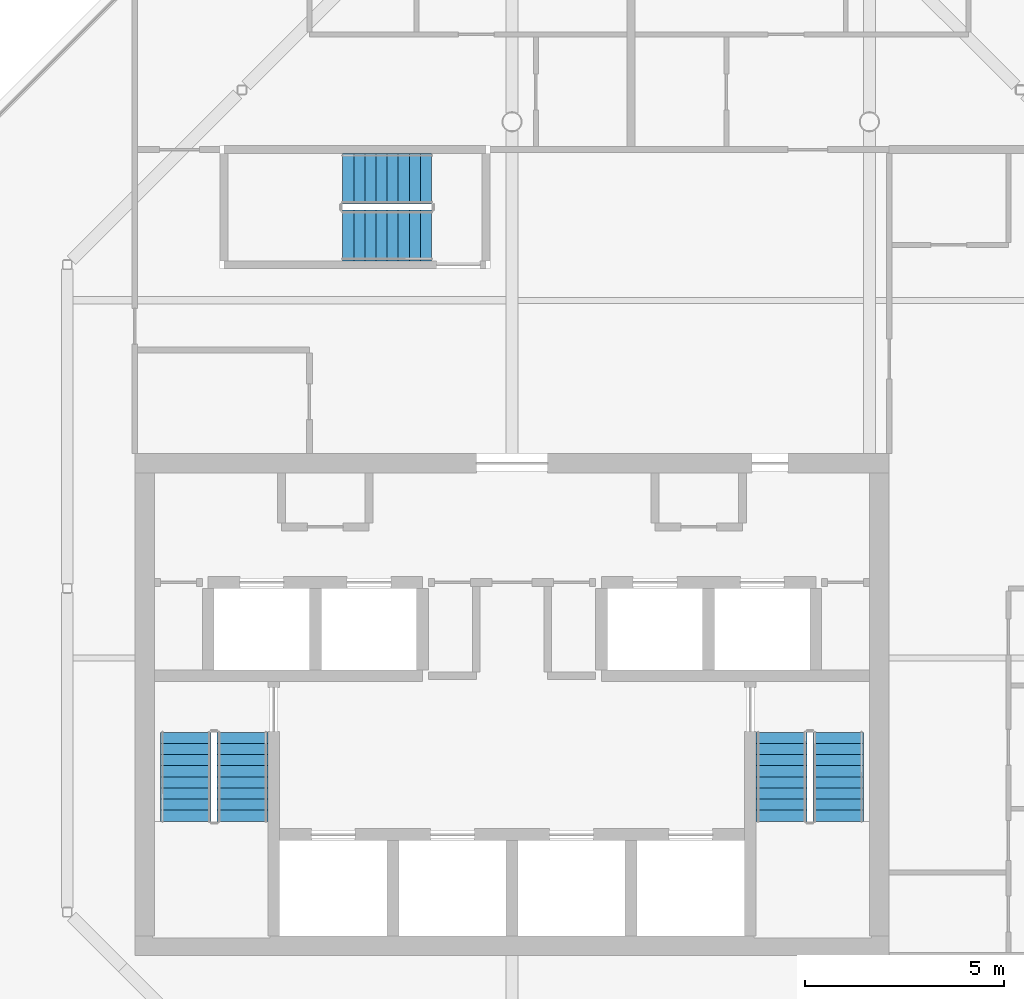
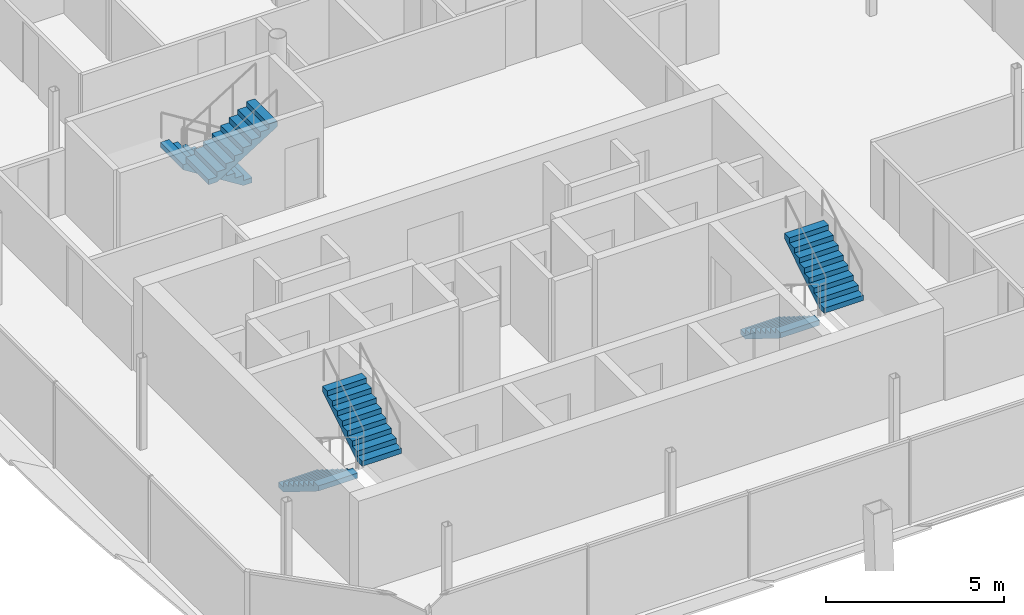
# One storey, part 12 of 16: 6 stair flights, 3 elements without a shape of their own.
"""IFC4 building model written with IfcOpenShell, lengths in metres."""

from ifc_helpers import new_model, si_unit, direction, frame, origin, place, context, subcontext, project, spatial, polyline, outline, extrude, material, type_object, element, aggregate, save


model = new_model("IFC4")

# Units and contexts
model_context = context("Model", 3, precision=1e-05, world=origin(), true_north=direction((0.0, 1.0)))
body_context = subcontext(model_context, "Body", "Model", "MODEL_VIEW")
ifc_project = project(units=[si_unit("LENGTHUNIT", "METRE"), si_unit("AREAUNIT", "SQUARE_METRE"), si_unit("VOLUMEUNIT", "CUBIC_METRE"), si_unit("PLANEANGLEUNIT", "RADIAN"), si_unit("MASSUNIT", "GRAM", prefix="KILO")], contexts=[model_context])

# Site, building, storey
site_placement = place(None, origin())
site = spatial("IfcSite", under=ifc_project, at=site_placement, CompositionType="ELEMENT")
building_placement = place(site_placement, origin())
building = spatial("IfcBuilding", under=site, at=building_placement, Name="Tskaro Facet Tower", CompositionType="ELEMENT")
storey_placement = place(building_placement, frame((0.0, 0.0, 262.64990234375)))
storey = spatial("IfcBuildingStorey", under=building, at=storey_placement, Name="L69", CompositionType="ELEMENT", Elevation=262.64990234375)

# Stair, stair flights
ifc_material = material(Name="Concrete C40/50", Category="concrete")
stair_type = type_object("IfcStairType", Name="ST-TWR", PredefinedType="HALF_TURN_STAIR", material=ifc_material)
stair_1_placement = place(storey_placement, origin())
stair_1 = element("IfcStair", 1, at=stair_1_placement, inside=storey, type_object=stair_type, Name="L69 Exit stair 1", PredefinedType="HALF_TURN_STAIR")
stair_flight_type = type_object("IfcStairFlightType", Name="SFL-RC", PredefinedType="STRAIGHT", material=ifc_material)
stair_flight_1_placement = place(storey_placement, frame((-8.21240234375, -6.375, 0.0), z_axis=(0.0, 0.0, 1.0), x_axis=(0.0, -1.0, 0.0)))
stair_flight_1 = element("IfcStairFlight", 2, at=stair_flight_1_placement, type_object=stair_flight_type, Name="ST-1 flight 1", NumberOfRisers=9, NumberOfTreads=8, PredefinedType="STRAIGHT", RiserHeight=0.175, TreadLength=0.28, context=body_context, shape_type="SweptSolid", body=[
    extrude(outline(polyline([(0.0, 0.0), (0.0, 0.175048828125), (0.280029296875, 0.175048828125), (0.280029296875, 0.35009765625), (0.56005859375, 0.35009765625), (0.56005859375, 0.52490234375), (0.840087890625, 0.52490234375), (0.840087890625, 0.699951171875), (1.1201171875, 0.699951171875), (1.1201171875, 0.875), (1.39990234375, 0.875), (1.39990234375, 1.050048828125), (1.679931640625, 1.050048828125), (1.679931640625, 1.22509765625), (1.9599609375, 1.22509765625), (1.9599609375, 1.39990234375), (2.239990234375, 1.39990234375), (2.239990234375, 1.574951171875), (2.239990234375, 1.22314453125), (0.28271484375, 0.0), (0.0, 0.0)])), frame((0.0, 0.637451171875, 0.0), z_axis=(0.0, -1.0, 0.0), x_axis=(1.0, 0.0, 0.0)), (0.0, 0.0, 1.0), 1.27490234375),
])
stair_flight_2_placement = place(storey_placement, frame((-6.78759765625, -8.614990234375, 1.5751953125), z_axis=(0.0, 0.0, 1.0), x_axis=(0.0, 1.0, 0.0)))
stair_flight_2 = element("IfcStairFlight", 3, at=stair_flight_2_placement, type_object=stair_flight_type, Name="ST-1 flight 2", NumberOfRisers=9, NumberOfTreads=8, PredefinedType="STRAIGHT", RiserHeight=0.175, TreadLength=0.28, context=body_context, shape_type="SweptSolid", body=[
    extrude(outline(polyline([(0.0, 0.0), (0.0, 0.175048828125), (0.280029296875, 0.175048828125), (0.280029296875, 0.35009765625), (0.56005859375, 0.35009765625), (0.56005859375, 0.52490234375), (0.840087890625, 0.52490234375), (0.840087890625, 0.699951171875), (1.1201171875, 0.699951171875), (1.1201171875, 0.875), (1.39990234375, 0.875), (1.39990234375, 1.050048828125), (1.679931640625, 1.050048828125), (1.679931640625, 1.22509765625), (1.9599609375, 1.22509765625), (1.9599609375, 1.39990234375), (2.239990234375, 1.39990234375), (2.239990234375, 1.574951171875), (2.239990234375, 1.22314453125), (0.28271484375, 0.0), (0.0, 0.0)])), frame((0.0, 0.637451171875, 0.0), z_axis=(0.0, -1.0, 0.0), x_axis=(1.0, 0.0, 0.0)), (0.0, 0.0, 1.0), 1.27490234375),
])
aggregate(stair_1, [stair_flight_1, stair_flight_2])

stair_2_placement = place(storey_placement, origin())
stair_2 = element("IfcStair", 4, at=stair_2_placement, inside=storey, type_object=stair_type, Name="L69 Exit stair 2", PredefinedType="HALF_TURN_STAIR")
stair_flight_3_placement = place(storey_placement, frame((6.78759765625, -6.375, 0.0), z_axis=(0.0, 0.0, 1.0), x_axis=(0.0, -1.0, 0.0)))
stair_flight_3 = element("IfcStairFlight", 5, at=stair_flight_3_placement, type_object=stair_flight_type, Name="ST-2 flight 1", NumberOfRisers=9, NumberOfTreads=8, PredefinedType="STRAIGHT", RiserHeight=0.175, TreadLength=0.28, context=body_context, shape_type="SweptSolid", body=[
    extrude(outline(polyline([(0.0, 0.0), (0.0, 0.175048828125), (0.280029296875, 0.175048828125), (0.280029296875, 0.35009765625), (0.56005859375, 0.35009765625), (0.56005859375, 0.52490234375), (0.840087890625, 0.52490234375), (0.840087890625, 0.699951171875), (1.1201171875, 0.699951171875), (1.1201171875, 0.875), (1.39990234375, 0.875), (1.39990234375, 1.050048828125), (1.679931640625, 1.050048828125), (1.679931640625, 1.22509765625), (1.9599609375, 1.22509765625), (1.9599609375, 1.39990234375), (2.239990234375, 1.39990234375), (2.239990234375, 1.574951171875), (2.239990234375, 1.22314453125), (0.28271484375, 0.0), (0.0, 0.0)])), frame((0.0, 0.637451171875, 0.0), z_axis=(0.0, -1.0, 0.0), x_axis=(1.0, 0.0, 0.0)), (0.0, 0.0, 1.0), 1.27490234375),
])
stair_flight_4_placement = place(storey_placement, frame((8.21240234375, -8.614990234375, 1.5751953125), z_axis=(0.0, 0.0, 1.0), x_axis=(0.0, 1.0, 0.0)))
stair_flight_4 = element("IfcStairFlight", 6, at=stair_flight_4_placement, type_object=stair_flight_type, Name="ST-2 flight 2", NumberOfRisers=9, NumberOfTreads=8, PredefinedType="STRAIGHT", RiserHeight=0.175, TreadLength=0.28, context=body_context, shape_type="SweptSolid", body=[
    extrude(outline(polyline([(0.0, 0.0), (0.0, 0.175048828125), (0.280029296875, 0.175048828125), (0.280029296875, 0.35009765625), (0.56005859375, 0.35009765625), (0.56005859375, 0.52490234375), (0.840087890625, 0.52490234375), (0.840087890625, 0.699951171875), (1.1201171875, 0.699951171875), (1.1201171875, 0.875), (1.39990234375, 0.875), (1.39990234375, 1.050048828125), (1.679931640625, 1.050048828125), (1.679931640625, 1.22509765625), (1.9599609375, 1.22509765625), (1.9599609375, 1.39990234375), (2.239990234375, 1.39990234375), (2.239990234375, 1.574951171875), (2.239990234375, 1.22314453125), (0.28271484375, 0.0), (0.0, 0.0)])), frame((0.0, 0.637451171875, 0.0), z_axis=(0.0, -1.0, 0.0), x_axis=(1.0, 0.0, 0.0)), (0.0, 0.0, 1.0), 1.27490234375),
])
aggregate(stair_2, [stair_flight_3, stair_flight_4])

stair_3_placement = place(storey_placement, origin())
stair_3 = element("IfcStair", 7, at=stair_3_placement, inside=storey, type_object=stair_type, Name="L69 Exit stair 3", PredefinedType="HALF_TURN_STAIR")
stair_flight_5_placement = place(storey_placement, frame((-2.02490234375, 7.5625, 0.0), z_axis=(0.0, 0.0, 1.0), x_axis=(-1.0, 0.0, 0.0)))
stair_flight_5 = element("IfcStairFlight", 8, at=stair_flight_5_placement, type_object=stair_flight_type, Name="ST-3 flight 1", NumberOfRisers=9, NumberOfTreads=8, PredefinedType="STRAIGHT", RiserHeight=0.175, TreadLength=0.28, context=body_context, shape_type="SweptSolid", body=[
    extrude(outline(polyline([(0.0, 0.0), (0.0, 0.175048828125), (0.280029296875, 0.175048828125), (0.280029296875, 0.35009765625), (0.56005859375, 0.35009765625), (0.56005859375, 0.52490234375), (0.840087890625, 0.52490234375), (0.840087890625, 0.699951171875), (1.1201171875, 0.699951171875), (1.1201171875, 0.875), (1.39990234375, 0.875), (1.39990234375, 1.050048828125), (1.679931640625, 1.050048828125), (1.679931640625, 1.22509765625), (1.9599609375, 1.22509765625), (1.9599609375, 1.39990234375), (2.239990234375, 1.39990234375), (2.239990234375, 1.574951171875), (2.239990234375, 1.22314453125), (0.28271484375, 0.0), (0.0, 0.0)])), frame((0.0, 0.637451171875, 0.0), z_axis=(0.0, -1.0, 0.0), x_axis=(1.0, 0.0, 0.0)), (0.0, 0.0, 1.0), 1.27490234375),
])
stair_flight_6_placement = place(storey_placement, frame((-4.264892578125, 6.137451171875, 1.5751953125), z_axis=(0.0, 0.0, 1.0), x_axis=(1.0, 0.0, 0.0)))
stair_flight_6 = element("IfcStairFlight", 9, at=stair_flight_6_placement, type_object=stair_flight_type, Name="ST-3 flight 2", NumberOfRisers=9, NumberOfTreads=8, PredefinedType="STRAIGHT", RiserHeight=0.175, TreadLength=0.28, context=body_context, shape_type="SweptSolid", body=[
    extrude(outline(polyline([(0.0, 0.0), (0.0, 0.175048828125), (0.280029296875, 0.175048828125), (0.280029296875, 0.35009765625), (0.56005859375, 0.35009765625), (0.56005859375, 0.52490234375), (0.840087890625, 0.52490234375), (0.840087890625, 0.699951171875), (1.1201171875, 0.699951171875), (1.1201171875, 0.875), (1.39990234375, 0.875), (1.39990234375, 1.050048828125), (1.679931640625, 1.050048828125), (1.679931640625, 1.22509765625), (1.9599609375, 1.22509765625), (1.9599609375, 1.39990234375), (2.239990234375, 1.39990234375), (2.239990234375, 1.574951171875), (2.239990234375, 1.22314453125), (0.28271484375, 0.0), (0.0, 0.0)])), frame((0.0, 0.637451171875, 0.0), z_axis=(0.0, -1.0, 0.0), x_axis=(1.0, 0.0, 0.0)), (0.0, 0.0, 1.0), 1.27490234375),
])
aggregate(stair_3, [stair_flight_5, stair_flight_6])

save(model, "model.ifc")
